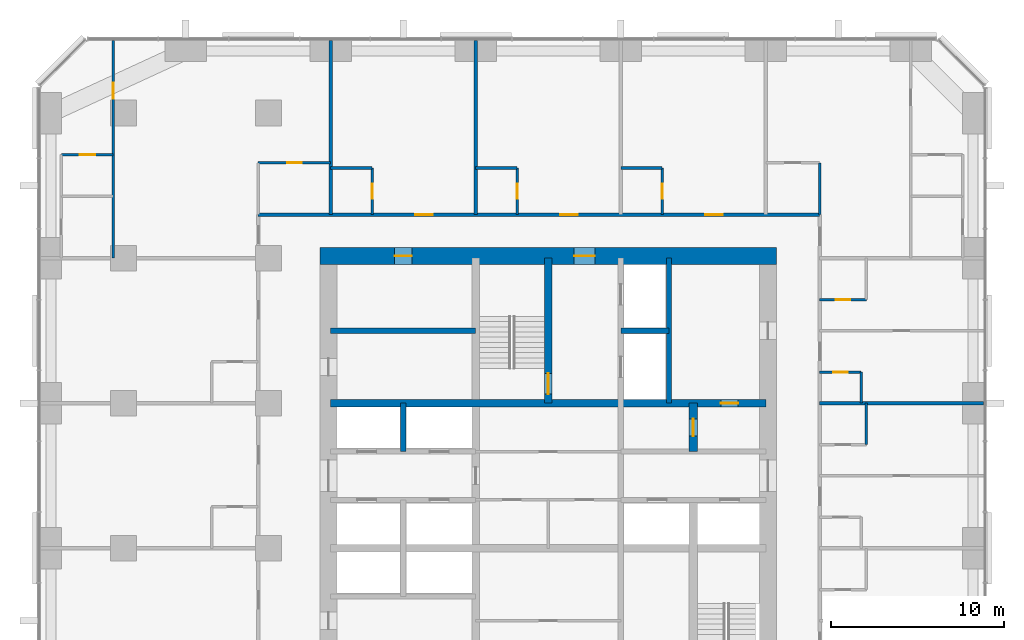
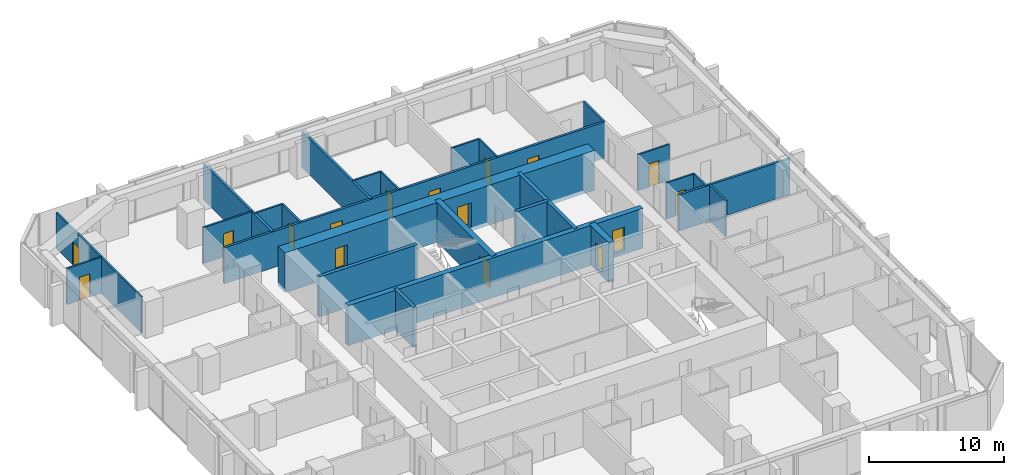
# One storey, part 11 of 13: 26 walls, 16 doors, 16 openings.
"""IFC4 building model written with IfcOpenShell, lengths in metres."""

from ifc_helpers import new_model, si_unit, direction, frame, frame_2d, origin, place, context, subcontext, project, spatial, rectangle, extrude, material, layer, layer_set, type_object, element, fill, save


model = new_model("IFC4")

# Units and contexts
model_context = context("Model", 3, precision=1e-05, world=origin(), true_north=direction((0.0, 1.0)))
body_context = subcontext(model_context, "Body", "Model", "MODEL_VIEW")
ifc_project = project(units=[si_unit("LENGTHUNIT", "METRE"), si_unit("AREAUNIT", "SQUARE_METRE"), si_unit("VOLUMEUNIT", "CUBIC_METRE"), si_unit("PLANEANGLEUNIT", "RADIAN"), si_unit("MASSUNIT", "GRAM", prefix="KILO")], contexts=[model_context])

# Site, building, storey
site_placement = place(None, origin())
site = spatial("IfcSite", under=ifc_project, at=site_placement, CompositionType="ELEMENT")
building_placement = place(site_placement, origin())
building = spatial("IfcBuilding", under=site, at=building_placement, Name="Dunama Terrace Hotel", CompositionType="ELEMENT")
storey_placement = place(building_placement, frame((0.0, 0.0, 118.800048828125)))
storey = spatial("IfcBuildingStorey", under=building, at=storey_placement, Name="L30", CompositionType="ELEMENT", Elevation=118.800048828125)

# Wall, opening, door
ifc_material_1 = material(Name="Gypsum board partition", Category="masonry")
ifc_layer_1 = layer(ifc_material_1, 0.14990234375)
ifc_layer_set_1 = layer_set([ifc_layer_1], Name="Bathroom partition 150")
wall_type_1 = type_object("IfcWallType", Name="Bathroom partition 150", PredefinedType="PARTITIONING", material=ifc_layer_set_1)
wall_1_placement = place(storey_placement, frame((19.199951171875, 44.52490234375, 0.0), z_axis=(0.0, 0.0, 1.0), x_axis=(0.0, 1.0, 0.0)))
wall_1 = element("IfcWall", 1, at=wall_1_placement, inside=storey, type_object=wall_type_1, Name="Bathroom partition 150 L30", PredefinedType="PARTITIONING", context=body_context, shape_type="SweptSolid", body=[
    extrude(rectangle(XDim=2.7001953125, YDim=0.14990234375, at=frame_2d((1.35009765625, 0.0))), origin(), (0.0, 0.0, 1.0), 3.25),
])
opening_1_placement = place(wall_1_placement, frame((0.925048828125, 0.0, 0.0)))
opening_1 = element("IfcOpeningElement", 2, at=opening_1_placement, cuts=wall_1, Name="Opening L30-030", PredefinedType="OPENING", context=body_context, shape_type="SweptSolid", body=[
    extrude(rectangle(XDim=0.85009765625, YDim=2.10009765625, at=frame_2d((0.425048828125, 1.050048828125))), frame((0.0, 0.0849609375, 0.0), z_axis=(0.0, -1.0, 0.0), x_axis=(1.0, 0.0, 0.0)), (0.0, 0.0, 1.0), 0.169921875),
])
ifc_material_2 = material(Name="Timber door with steel frame", Category="steel")
door_type_1 = type_object("IfcDoorType", Name="Bathroom door 850", OperationType="SINGLE_SWING_LEFT", PredefinedType="DOOR", material=ifc_material_2)
door_1_placement = place(opening_1_placement, origin())
door_1 = element("IfcDoor", 3, at=door_1_placement, inside=storey, type_object=door_type_1, Name="Door to en-suite bathroom L30-030, type D2", OperationType="SINGLE_SWING_LEFT", OverallHeight=2.10009765625, OverallWidth=0.85009765625, PredefinedType="DOOR", context=body_context, shape_type="SweptSolid", body=[
    extrude(rectangle(XDim=0.85009765625, YDim=2.10009765625, at=frame_2d((0.425048828125, 1.050048828125))), frame((0.0, 0.02490234375, 0.0), z_axis=(0.0, -1.0, 0.0), x_axis=(1.0, 0.0, 0.0)), (0.0, 0.0, 1.0), 0.050048828125),
])
fill(opening_1, door_1)

wall_2_placement = place(storey_placement, frame((27.60009765625, 44.52490234375, 0.0), z_axis=(0.0, 0.0, 1.0), x_axis=(0.0, 1.0, 0.0)))
wall_2 = element("IfcWall", 4, at=wall_2_placement, inside=storey, type_object=wall_type_1, Name="Bathroom partition 150 L30", PredefinedType="PARTITIONING", context=body_context, shape_type="SweptSolid", body=[
    extrude(rectangle(XDim=2.7001953125, YDim=0.14990234375, at=frame_2d((1.35009765625, 0.0))), origin(), (0.0, 0.0, 1.0), 3.25),
])
opening_2_placement = place(wall_2_placement, frame((0.925048828125, 0.0, 0.0)))
opening_2 = element("IfcOpeningElement", 5, at=opening_2_placement, cuts=wall_2, Name="Opening L30-032", PredefinedType="OPENING", context=body_context, shape_type="SweptSolid", body=[
    extrude(rectangle(XDim=0.85009765625, YDim=2.10009765625, at=frame_2d((0.425048828125, 1.050048828125))), frame((0.0, 0.0849609375, 0.0), z_axis=(0.0, -1.0, 0.0), x_axis=(1.0, 0.0, 0.0)), (0.0, 0.0, 1.0), 0.169921875),
])
door_2_placement = place(opening_2_placement, origin())
door_2 = element("IfcDoor", 6, at=door_2_placement, inside=storey, type_object=door_type_1, Name="Door to en-suite bathroom L30-032, type D2", OperationType="SINGLE_SWING_LEFT", OverallHeight=2.10009765625, OverallWidth=0.85009765625, PredefinedType="DOOR", context=body_context, shape_type="SweptSolid", body=[
    extrude(rectangle(XDim=0.85009765625, YDim=2.10009765625, at=frame_2d((0.425048828125, 1.050048828125))), frame((0.0, 0.02490234375, 0.0), z_axis=(0.0, -1.0, 0.0), x_axis=(1.0, 0.0, 0.0)), (0.0, 0.0, 1.0), 0.050048828125),
])
fill(opening_2, door_2)

wall_3_placement = place(storey_placement, frame((36.0, 44.52490234375, 0.0), z_axis=(0.0, 0.0, 1.0), x_axis=(0.0, 1.0, 0.0)))
wall_3 = element("IfcWall", 7, at=wall_3_placement, inside=storey, type_object=wall_type_1, Name="Bathroom partition 150 L30", PredefinedType="PARTITIONING", context=body_context, shape_type="SweptSolid", body=[
    extrude(rectangle(XDim=2.7001953125, YDim=0.14990234375, at=frame_2d((1.35009765625, 0.0))), origin(), (0.0, 0.0, 1.0), 3.25),
])
opening_3_placement = place(wall_3_placement, frame((0.925048828125, 0.0, 0.0)))
opening_3 = element("IfcOpeningElement", 8, at=opening_3_placement, cuts=wall_3, Name="Opening L30-034", PredefinedType="OPENING", context=body_context, shape_type="SweptSolid", body=[
    extrude(rectangle(XDim=0.85009765625, YDim=2.10009765625, at=frame_2d((0.425048828125, 1.050048828125))), frame((0.0, 0.0849609375, 0.0), z_axis=(0.0, -1.0, 0.0), x_axis=(1.0, 0.0, 0.0)), (0.0, 0.0, 1.0), 0.169921875),
])
door_3_placement = place(opening_3_placement, origin())
door_3 = element("IfcDoor", 9, at=door_3_placement, inside=storey, type_object=door_type_1, Name="Door to en-suite bathroom L30-034, type D2", OperationType="SINGLE_SWING_LEFT", OverallHeight=2.10009765625, OverallWidth=0.85009765625, PredefinedType="DOOR", context=body_context, shape_type="SweptSolid", body=[
    extrude(rectangle(XDim=0.85009765625, YDim=2.10009765625, at=frame_2d((0.425048828125, 1.050048828125))), frame((0.0, 0.02490234375, 0.0), z_axis=(0.0, -1.0, 0.0), x_axis=(1.0, 0.0, 0.0)), (0.0, 0.0, 1.0), 0.050048828125),
])
fill(opening_3, door_3)

# Walls
wall_4_placement = place(storey_placement, frame((45.125, 44.52490234375, 0.0), z_axis=(0.0, 0.0, 1.0), x_axis=(0.0, 1.0, 0.0)))
element("IfcWall", 10, at=wall_4_placement, inside=storey, type_object=wall_type_1, Name="Bathroom partition 150 L30", PredefinedType="PARTITIONING", context=body_context, shape_type="SweptSolid", body=[
    extrude(rectangle(XDim=3.0, YDim=0.14990234375, at=frame_2d((1.5, 0.0))), origin(), (0.0, 0.0, 1.0), 3.25),
])
wall_5_placement = place(storey_placement, frame((47.52490234375, 33.60009765625, 0.0), z_axis=(0.0, 0.0, 1.0), x_axis=(0.0, 1.0, 0.0)))
element("IfcWall", 11, at=wall_5_placement, inside=storey, type_object=wall_type_1, Name="Bathroom partition 150 L30", PredefinedType="PARTITIONING", context=body_context, shape_type="SweptSolid", body=[
    extrude(rectangle(XDim=1.7998046875, YDim=0.14990234375, at=frame_2d((0.89990234375, 0.0))), origin(), (0.0, 0.0, 1.0), 3.25),
])
wall_6_placement = place(storey_placement, frame((47.824951171875, 31.199951171875, 0.0), z_axis=(0.0, 0.0, 1.0), x_axis=(0.0, 1.0, 0.0)))
element("IfcWall", 12, at=wall_6_placement, inside=storey, type_object=wall_type_1, Name="Bathroom partition 150 L30", PredefinedType="PARTITIONING", context=body_context, shape_type="SweptSolid", body=[
    extrude(rectangle(XDim=2.400146484375, YDim=0.14990234375, at=frame_2d((1.2001953125, 0.0))), origin(), (0.0, 0.0, 1.0), 3.25),
])

# Wall, opening, door
wall_7_placement = place(storey_placement, frame((45.125, 35.39990234375, 0.0), z_axis=(0.0, 0.0, 1.0), x_axis=(1.0, 0.0, 0.0)))
wall_7 = element("IfcWall", 13, at=wall_7_placement, inside=storey, type_object=wall_type_1, Name="Bathroom partition 150 L30", PredefinedType="PARTITIONING", context=body_context, shape_type="SweptSolid", body=[
    extrude(rectangle(XDim=2.39990234375, YDim=0.14990234375, at=frame_2d((1.199951171875, 0.0))), origin(), (0.0, 0.0, 1.0), 3.25),
])
opening_4_placement = place(wall_7_placement, frame((0.77490234375, 0.0, 0.0)))
opening_4 = element("IfcOpeningElement", 14, at=opening_4_placement, cuts=wall_7, Name="Opening L30-026", PredefinedType="OPENING", context=body_context, shape_type="SweptSolid", body=[
    extrude(rectangle(XDim=0.85009765625, YDim=2.10009765625, at=frame_2d((0.425048828125, 1.050048828125))), frame((0.0, 0.0849609375, 0.0), z_axis=(0.0, -1.0, 0.0), x_axis=(1.0, 0.0, 0.0)), (0.0, 0.0, 1.0), 0.169921875),
])
door_4_placement = place(opening_4_placement, frame((0.85009765625, 0.0, 0.0), z_axis=(0.0, 0.0, 1.0), x_axis=(-1.0, 0.0, 0.0)))
door_4 = element("IfcDoor", 15, at=door_4_placement, inside=storey, type_object=door_type_1, Name="Door to powder room L30-026, type D2", OperationType="SINGLE_SWING_RIGHT", OverallHeight=2.10009765625, OverallWidth=0.85009765625, PredefinedType="DOOR", context=body_context, shape_type="SweptSolid", body=[
    extrude(rectangle(XDim=0.85009765625, YDim=2.10009765625, at=frame_2d((0.425048828125, 1.050048828125))), frame((0.0, 0.025146484375, 0.0), z_axis=(0.0, -1.0, 0.0), x_axis=(1.0, 0.0, 0.0)), (0.0, 0.0, 1.0), 0.050048828125),
])
fill(opening_4, door_4)

wall_8_placement = place(storey_placement, frame((45.125, 39.60009765625, 0.0), z_axis=(0.0, 0.0, 1.0), x_axis=(1.0, 0.0, 0.0)))
wall_8 = element("IfcWall", 16, at=wall_8_placement, inside=storey, type_object=wall_type_1, Name="Bathroom partition 150 L30", PredefinedType="PARTITIONING", context=body_context, shape_type="SweptSolid", body=[
    extrude(rectangle(XDim=2.699951171875, YDim=0.14990234375, at=frame_2d((1.35009765625, 0.0))), origin(), (0.0, 0.0, 1.0), 3.25),
])
opening_5_placement = place(wall_8_placement, frame((0.925048828125, 0.0, 0.0)))
opening_5 = element("IfcOpeningElement", 17, at=opening_5_placement, cuts=wall_8, Name="Opening L30-028", PredefinedType="OPENING", context=body_context, shape_type="SweptSolid", body=[
    extrude(rectangle(XDim=0.85009765625, YDim=2.10009765625, at=frame_2d((0.425048828125, 1.050048828125))), frame((0.0, 0.0849609375, 0.0), z_axis=(0.0, -1.0, 0.0), x_axis=(1.0, 0.0, 0.0)), (0.0, 0.0, 1.0), 0.169921875),
])
door_5_placement = place(opening_5_placement, origin())
door_5 = element("IfcDoor", 18, at=door_5_placement, inside=storey, type_object=door_type_1, Name="Door to en-suite bathroom L30-028, type D2", OperationType="SINGLE_SWING_LEFT", OverallHeight=2.10009765625, OverallWidth=0.85009765625, PredefinedType="DOOR", context=body_context, shape_type="SweptSolid", body=[
    extrude(rectangle(XDim=0.85009765625, YDim=2.10009765625, at=frame_2d((0.425048828125, 1.050048828125))), frame((0.0, 0.02490234375, 0.0), z_axis=(0.0, -1.0, 0.0), x_axis=(1.0, 0.0, 0.0)), (0.0, 0.0, 1.0), 0.050048828125),
])
fill(opening_5, door_5)

# Walls
wall_9_placement = place(storey_placement, frame((16.800048828125, 47.22509765625, 0.0), z_axis=(0.0, 0.0, 1.0), x_axis=(1.0, 0.0, 0.0)))
element("IfcWall", 19, at=wall_9_placement, inside=storey, type_object=wall_type_1, Name="Bathroom partition 150 L30", PredefinedType="PARTITIONING", context=body_context, shape_type="SweptSolid", body=[
    extrude(rectangle(XDim=2.39990234375, YDim=0.14990234375, at=frame_2d((1.199951171875, 0.0))), origin(), (0.0, 0.0, 1.0), 3.25),
])
wall_10_placement = place(storey_placement, frame((25.199951171875, 47.22509765625, 0.0), z_axis=(0.0, 0.0, 1.0), x_axis=(1.0, 0.0, 0.0)))
element("IfcWall", 20, at=wall_10_placement, inside=storey, type_object=wall_type_1, Name="Bathroom partition 150 L30", PredefinedType="PARTITIONING", context=body_context, shape_type="SweptSolid", body=[
    extrude(rectangle(XDim=2.400146484375, YDim=0.14990234375, at=frame_2d((1.2001953125, 0.0))), origin(), (0.0, 0.0, 1.0), 3.25),
])
wall_11_placement = place(storey_placement, frame((33.60009765625, 47.22509765625, 0.0), z_axis=(0.0, 0.0, 1.0), x_axis=(1.0, 0.0, 0.0)))
element("IfcWall", 21, at=wall_11_placement, inside=storey, type_object=wall_type_1, Name="Bathroom partition 150 L30", PredefinedType="PARTITIONING", context=body_context, shape_type="SweptSolid", body=[
    extrude(rectangle(XDim=2.39990234375, YDim=0.14990234375, at=frame_2d((1.199951171875, 0.0))), origin(), (0.0, 0.0, 1.0), 3.25),
])

# Wall, opening, door
wall_12_placement = place(storey_placement, frame((12.60009765625, 47.52490234375, 0.0), z_axis=(0.0, 0.0, 1.0), x_axis=(1.0, 0.0, 0.0)))
wall_12 = element("IfcWall", 22, at=wall_12_placement, inside=storey, type_object=wall_type_1, Name="Bathroom partition 150 L30", PredefinedType="PARTITIONING", context=body_context, shape_type="SweptSolid", body=[
    extrude(rectangle(XDim=4.199951171875, YDim=0.14990234375, at=frame_2d((2.10009765625, 0.0))), origin(), (0.0, 0.0, 1.0), 3.25),
])
opening_6_placement = place(wall_12_placement, frame((1.675048828125, 0.0, 0.0)))
opening_6 = element("IfcOpeningElement", 23, at=opening_6_placement, cuts=wall_12, Name="Opening L30-057", PredefinedType="OPENING", context=body_context, shape_type="SweptSolid", body=[
    extrude(rectangle(XDim=0.85009765625, YDim=2.10009765625, at=frame_2d((0.425048828125, 1.050048828125))), frame((0.0, 0.0849609375, 0.0), z_axis=(0.0, -1.0, 0.0), x_axis=(1.0, 0.0, 0.0)), (0.0, 0.0, 1.0), 0.169921875),
])
door_6_placement = place(opening_6_placement, frame((0.85009765625, 0.0, 0.0), z_axis=(0.0, 0.0, 1.0), x_axis=(-1.0, 0.0, 0.0)))
door_6 = element("IfcDoor", 24, at=door_6_placement, inside=storey, type_object=door_type_1, Name="Door to powder room L30-057, type D2", OperationType="SINGLE_SWING_LEFT", OverallHeight=2.10009765625, OverallWidth=0.85009765625, PredefinedType="DOOR", context=body_context, shape_type="SweptSolid", body=[
    extrude(rectangle(XDim=0.85009765625, YDim=2.10009765625, at=frame_2d((0.425048828125, 1.050048828125))), frame((0.0, 0.025146484375, 0.0), z_axis=(0.0, -1.0, 0.0), x_axis=(1.0, 0.0, 0.0)), (0.0, 0.0, 1.0), 0.050048828125),
])
fill(opening_6, door_6)

# Walls
ifc_material_3 = material(Name="Concrete C50/60", Category="concrete")
ifc_layer_2 = layer(ifc_material_3, 0.300048828125)
ifc_layer_set_2 = layer_set([ifc_layer_2], Name="Core inner wall 300")
wall_type_2 = type_object("IfcWallType", Name="Core inner wall 300", PredefinedType="SHEAR", material=ifc_layer_set_2)
wall_13_placement = place(storey_placement, frame((21.0, 30.800048828125, -0.35009765625), z_axis=(0.0, 0.0, 1.0), x_axis=(0.0, 1.0, 0.0)))
element("IfcWall", 25, at=wall_13_placement, inside=storey, type_object=wall_type_2, Name="Core inner wall 300 L30", PredefinedType="SHEAR", context=body_context, shape_type="SweptSolid", body=[
    extrude(rectangle(XDim=2.800048828125, YDim=0.300048828125, at=frame_2d((1.39990234375, 0.0))), origin(), (0.0, 0.0, 1.0), 3.60009765625),
])
for number, where, z_axis, x_axis, name in (
    (26, (36.39990234375, 33.60009765625, -0.35009765625), (0.0, 0.0, 1.0), (0.0, 1.0, 0.0), "Core inner wall 300 L30"),
    (27, (16.800048828125, 37.800048828125, -0.35009765625), (0.0, 0.0, 1.0), (1.0, 0.0, 0.0), "Core inner wall 300 L30"),
):
    element("IfcWall", number, at=place(storey_placement, frame(where, z_axis=z_axis, x_axis=x_axis)), inside=storey, type_object=wall_type_2, Name=name, PredefinedType="SHEAR", context=body_context, shape_type="SweptSolid", body=[
        extrude(rectangle(XDim=8.39990234375, YDim=0.300048828125, at=frame_2d((4.199951171875, 0.0))), origin(), (0.0, 0.0, 1.0), 3.60009765625),
    ])
wall_14_placement = place(storey_placement, frame((33.60009765625, 37.800048828125, -0.35009765625), z_axis=(0.0, 0.0, 1.0), x_axis=(1.0, 0.0, 0.0)))
element("IfcWall", 28, at=wall_14_placement, inside=storey, type_object=wall_type_2, Name="Core inner wall 300 L30", PredefinedType="SHEAR", context=body_context, shape_type="SweptSolid", body=[
    extrude(rectangle(XDim=2.7998046875, YDim=0.300048828125, at=frame_2d((1.39990234375, 0.0))), origin(), (0.0, 0.0, 1.0), 3.60009765625),
])

# Wall, opening, door
ifc_material_4 = material(Name="Concrete C50/60", Category="concrete")
ifc_layer_3 = layer(ifc_material_4, 0.449951171875)
ifc_layer_set_3 = layer_set([ifc_layer_3], Name="Core inner wall 450")
wall_type_3 = type_object("IfcWallType", Name="Core inner wall 450", PredefinedType="SHEAR", material=ifc_layer_set_3)
wall_15_placement = place(storey_placement, frame((29.39990234375, 33.60009765625, -0.35009765625), z_axis=(0.0, 0.0, 1.0), x_axis=(0.0, 1.0, 0.0)))
wall_15 = element("IfcWall", 29, at=wall_15_placement, inside=storey, type_object=wall_type_3, Name="Core inner wall 450 L30", PredefinedType="SHEAR", context=body_context, shape_type="SweptSolid", body=[
    extrude(rectangle(XDim=8.39990234375, YDim=0.449951171875, at=frame_2d((4.199951171875, 0.0))), origin(), (0.0, 0.0, 1.0), 3.60009765625),
])
opening_7_placement = place(wall_15_placement, frame((0.52490234375, 0.0, 0.35009765625)))
opening_7 = element("IfcOpeningElement", 30, at=opening_7_placement, cuts=wall_15, Name="Opening L30-001", PredefinedType="OPENING", context=body_context, shape_type="SweptSolid", body=[
    extrude(rectangle(XDim=1.199951171875, YDim=2.199951171875, at=frame_2d((0.60009765625, 1.10009765625))), frame((0.0, 0.23486328125, 0.0), z_axis=(0.0, -1.0, 0.0), x_axis=(1.0, 0.0, 0.0)), (0.0, 0.0, 1.0), 0.469970703125),
])
ifc_material_5 = material(Name="Timber door with steel frame", Category="steel")
door_type_2 = type_object("IfcDoorType", Name="Stair door 1200", OperationType="SINGLE_SWING_LEFT", PredefinedType="DOOR", material=ifc_material_5)
door_7_placement = place(opening_7_placement, origin())
door_7 = element("IfcDoor", 31, at=door_7_placement, inside=storey, type_object=door_type_2, Name="Stair door ST1 L30-001, type D5", OperationType="SINGLE_SWING_LEFT", OverallHeight=2.199951171875, OverallWidth=1.199951171875, PredefinedType="DOOR", context=body_context, shape_type="SweptSolid", body=[
    extrude(rectangle(XDim=1.199951171875, YDim=2.199951171875, at=frame_2d((0.60009765625, 1.10009765625))), frame((0.0, 0.02490234375, 0.0), z_axis=(0.0, -1.0, 0.0), x_axis=(1.0, 0.0, 0.0)), (0.0, 0.0, 1.0), 0.050048828125),
])
fill(opening_7, door_7)

wall_16_placement = place(storey_placement, frame((16.800048828125, 33.60009765625, -0.35009765625), z_axis=(0.0, 0.0, 1.0), x_axis=(1.0, 0.0, 0.0)))
wall_16 = element("IfcWall", 32, at=wall_16_placement, inside=storey, type_object=wall_type_3, Name="Core inner wall 450 L30", PredefinedType="SHEAR", context=body_context, shape_type="SweptSolid", body=[
    extrude(rectangle(XDim=25.199951171875, YDim=0.449951171875, at=frame_2d((12.60009765625, 0.0))), origin(), (0.0, 0.0, 1.0), 3.60009765625),
])
opening_8_placement = place(wall_16_placement, frame((22.60009765625, 0.0, 0.35009765625)))
opening_8 = element("IfcOpeningElement", 33, at=opening_8_placement, cuts=wall_16, Name="Opening L30-070", PredefinedType="OPENING", context=body_context, shape_type="SweptSolid", body=[
    extrude(rectangle(XDim=1.0, YDim=2.10009765625, at=frame_2d((0.5, 1.050048828125))), frame((0.0, 0.23486328125, 0.0), z_axis=(0.0, -1.0, 0.0), x_axis=(1.0, 0.0, 0.0)), (0.0, 0.0, 1.0), 0.469970703125),
])
ifc_material_6 = material(Name="Timber door with steel frame", Category="steel")
door_type_3 = type_object("IfcDoorType", Name="Service door 1000", OperationType="SINGLE_SWING_LEFT", PredefinedType="DOOR", material=ifc_material_6)
door_8_placement = place(opening_8_placement, frame((1.0, 0.0, 0.0), z_axis=(0.0, 0.0, 1.0), x_axis=(-1.0, 0.0, 0.0)))
door_8 = element("IfcDoor", 34, at=door_8_placement, inside=storey, type_object=door_type_3, Name="Door to housekeeping and linen store L30-070, type D7", OperationType="SINGLE_SWING_LEFT", OverallHeight=2.10009765625, OverallWidth=1.0, PredefinedType="DOOR", context=body_context, shape_type="SweptSolid", body=[
    extrude(rectangle(XDim=1.0, YDim=2.10009765625, at=frame_2d((0.5, 1.050048828125))), frame((0.0, 0.025146484375, 0.0), z_axis=(0.0, -1.0, 0.0), x_axis=(1.0, 0.0, 0.0)), (0.0, 0.0, 1.0), 0.050048828125),
])
fill(opening_8, door_8)

ifc_material_7 = material(Name="Concrete C50/60", Category="concrete")
ifc_layer_4 = layer(ifc_material_7, 0.5)
ifc_layer_set_4 = layer_set([ifc_layer_4], Name="Core inner wall 500")
wall_type_4 = type_object("IfcWallType", Name="Core inner wall 500", PredefinedType="SHEAR", material=ifc_layer_set_4)
wall_17_placement = place(storey_placement, frame((37.800048828125, 30.800048828125, -0.35009765625), z_axis=(0.0, 0.0, 1.0), x_axis=(0.0, 1.0, 0.0)))
wall_17 = element("IfcWall", 35, at=wall_17_placement, inside=storey, type_object=wall_type_4, Name="Core inner wall 500 L30", PredefinedType="SHEAR", context=body_context, shape_type="SweptSolid", body=[
    extrude(rectangle(XDim=2.800048828125, YDim=0.5, at=frame_2d((1.39990234375, 0.0))), origin(), (0.0, 0.0, 1.0), 3.60009765625),
])
opening_9_placement = place(wall_17_placement, frame((0.89990234375, 0.0, 0.35009765625)))
opening_9 = element("IfcOpeningElement", 36, at=opening_9_placement, cuts=wall_17, Name="Opening L30-069", PredefinedType="OPENING", context=body_context, shape_type="SweptSolid", body=[
    extrude(rectangle(XDim=1.0, YDim=2.10009765625, at=frame_2d((0.5, 1.050048828125))), frame((0.0, 0.260009765625, 0.0), z_axis=(0.0, -1.0, 0.0), x_axis=(1.0, 0.0, 0.0)), (0.0, 0.0, 1.0), 0.52001953125),
])
door_9_placement = place(opening_9_placement, frame((1.0, 0.0, 0.0), z_axis=(0.0, 0.0, 1.0), x_axis=(-1.0, 0.0, 0.0)))
door_9 = element("IfcDoor", 37, at=door_9_placement, inside=storey, type_object=door_type_3, Name="Door to service riser L30-069, type D7", OperationType="SINGLE_SWING_LEFT", OverallHeight=2.10009765625, OverallWidth=1.0, PredefinedType="DOOR", context=body_context, shape_type="SweptSolid", body=[
    extrude(rectangle(XDim=1.0, YDim=2.10009765625, at=frame_2d((0.5, 1.050048828125))), frame((0.0, 0.025146484375, 0.0), z_axis=(0.0, -1.0, 0.0), x_axis=(1.0, 0.0, 0.0)), (0.0, 0.0, 1.0), 0.050048828125),
])
fill(opening_9, door_9)

# Wall, openings, doors
ifc_material_8 = material(Name="Concrete C60/75", Category="concrete")
ifc_layer_5 = layer(ifc_material_8, 1.0)
ifc_layer_set_5 = layer_set([ifc_layer_5], Name="Core wall 1000")
wall_type_5 = type_object("IfcWallType", Name="Core wall 1000", PredefinedType="SHEAR", material=ifc_layer_set_5)
wall_18_placement = place(storey_placement, frame((42.625, 42.125, -0.35009765625), z_axis=(0.0, 0.0, 1.0), x_axis=(-1.0, 0.0, 0.0)))
wall_18 = element("IfcWall", 38, at=wall_18_placement, inside=storey, type_object=wall_type_5, Name="Core wall north L30", PredefinedType="SHEAR", context=body_context, shape_type="SweptSolid", body=[
    extrude(rectangle(XDim=26.449951171875, YDim=1.0, at=frame_2d((13.22509765625, 0.0))), origin(), (0.0, 0.0, 1.0), 3.60009765625),
])
opening_10_placement = place(wall_18_placement, frame((21.125, 0.0, 0.35009765625)))
opening_10 = element("IfcOpeningElement", 39, at=opening_10_placement, cuts=wall_18, Name="Opening L30-064", PredefinedType="OPENING", context=body_context, shape_type="SweptSolid", body=[
    extrude(rectangle(XDim=1.0, YDim=2.10009765625, at=frame_2d((0.5, 1.050048828125))), frame((0.0, 0.510009765625, 0.0), z_axis=(0.0, -1.0, 0.0), x_axis=(1.0, 0.0, 0.0)), (0.0, 0.0, 1.0), 1.02001953125),
])
opening_11_placement = place(wall_18_placement, frame((10.52490234375, 0.0, 0.35009765625)))
opening_11 = element("IfcOpeningElement", 40, at=opening_11_placement, cuts=wall_18, Name="Opening L30-072", PredefinedType="OPENING", context=body_context, shape_type="SweptSolid", body=[
    extrude(rectangle(XDim=1.199951171875, YDim=2.199951171875, at=frame_2d((0.60009765625, 1.10009765625))), frame((0.0, 0.510009765625, 0.0), z_axis=(0.0, -1.0, 0.0), x_axis=(1.0, 0.0, 0.0)), (0.0, 0.0, 1.0), 1.02001953125),
])
ifc_material_9 = material(Name="Timber door with steel frame", Category="steel")
door_type_4 = type_object("IfcDoorType", Name="Firefighting lobby door 1200", OperationType="SINGLE_SWING_LEFT", PredefinedType="DOOR", material=ifc_material_9)
door_10_placement = place(opening_11_placement, origin())
door_10 = element("IfcDoor", 41, at=door_10_placement, inside=storey, type_object=door_type_4, Name="Door to firefighting lobby L30-072, type D4", OperationType="SINGLE_SWING_RIGHT", OverallHeight=2.199951171875, OverallWidth=1.199951171875, PredefinedType="DOOR", context=body_context, shape_type="SweptSolid", body=[
    extrude(rectangle(XDim=1.199951171875, YDim=2.199951171875, at=frame_2d((0.60009765625, 1.10009765625))), frame((0.0, 0.02490234375, 0.0), z_axis=(0.0, -1.0, 0.0), x_axis=(1.0, 0.0, 0.0)), (0.0, 0.0, 1.0), 0.050048828125),
])
fill(opening_11, door_10)
door_11_placement = place(opening_10_placement, origin())
door_11 = element("IfcDoor", 42, at=door_11_placement, inside=storey, type_object=door_type_3, Name="Door to communications and riser room L30-064, type D7", OperationType="SINGLE_SWING_LEFT", OverallHeight=2.10009765625, OverallWidth=1.0, PredefinedType="DOOR", context=body_context, shape_type="SweptSolid", body=[
    extrude(rectangle(XDim=1.0, YDim=2.10009765625, at=frame_2d((0.5, 1.050048828125))), frame((0.0, 0.02490234375, 0.0), z_axis=(0.0, -1.0, 0.0), x_axis=(1.0, 0.0, 0.0)), (0.0, 0.0, 1.0), 0.050048828125),
])
fill(opening_10, door_11)

ifc_material_10 = material(Name="Concrete blockwork", Category="masonry")
ifc_layer_6 = layer(ifc_material_10, 0.199951171875)
ifc_layer_set_6 = layer_set([ifc_layer_6], Name="Corridor partition 200")
wall_type_6 = type_object("IfcWallType", Name="Corridor partition 200", PredefinedType="PARTITIONING", material=ifc_layer_set_6)
wall_19_placement = place(storey_placement, frame((12.60009765625, 44.52490234375, 0.0), z_axis=(0.0, 0.0, 1.0), x_axis=(1.0, 0.0, 0.0)))
wall_19 = element("IfcWall", 43, at=wall_19_placement, inside=storey, type_object=wall_type_6, Name="Corridor partition 200 L30", PredefinedType="PARTITIONING", context=body_context, shape_type="SweptSolid", body=[
    extrude(rectangle(XDim=32.52490234375, YDim=0.199951171875, at=frame_2d((16.262451171875, 0.0))), origin(), (0.0, 0.0, 1.0), 3.25),
])
opening_12_placement = place(wall_19_placement, frame((9.10009765625, 0.0, 0.0)))
opening_12 = element("IfcOpeningElement", 44, at=opening_12_placement, cuts=wall_19, Name="Opening L30-029", PredefinedType="OPENING", context=body_context, shape_type="SweptSolid", body=[
    extrude(rectangle(XDim=1.0, YDim=2.199951171875, at=frame_2d((0.5, 1.10009765625))), frame((0.0, 0.10986328125, 0.0), z_axis=(0.0, -1.0, 0.0), x_axis=(1.0, 0.0, 0.0)), (0.0, 0.0, 1.0), 0.219970703125),
])
opening_13_placement = place(wall_19_placement, frame((17.5, 0.0, 0.0)))
opening_13 = element("IfcOpeningElement", 45, at=opening_13_placement, cuts=wall_19, Name="Opening L30-031", PredefinedType="OPENING", context=body_context, shape_type="SweptSolid", body=[
    extrude(rectangle(XDim=1.0, YDim=2.199951171875, at=frame_2d((0.5, 1.10009765625))), frame((0.0, 0.10986328125, 0.0), z_axis=(0.0, -1.0, 0.0), x_axis=(1.0, 0.0, 0.0)), (0.0, 0.0, 1.0), 0.219970703125),
])
opening_14_placement = place(wall_19_placement, frame((25.89990234375, 0.0, 0.0)))
opening_14 = element("IfcOpeningElement", 46, at=opening_14_placement, cuts=wall_19, Name="Opening L30-033", PredefinedType="OPENING", context=body_context, shape_type="SweptSolid", body=[
    extrude(rectangle(XDim=1.0, YDim=2.199951171875, at=frame_2d((0.5, 1.10009765625))), frame((0.0, 0.10986328125, 0.0), z_axis=(0.0, -1.0, 0.0), x_axis=(1.0, 0.0, 0.0)), (0.0, 0.0, 1.0), 0.219970703125),
])
ifc_material_11 = material(Name="Timber door with steel frame", Category="steel")
door_type_5 = type_object("IfcDoorType", Name="Guest room door 1000", OperationType="SINGLE_SWING_LEFT", PredefinedType="DOOR", material=ifc_material_11)
door_12_placement = place(opening_12_placement, origin())
door_12 = element("IfcDoor", 47, at=door_12_placement, inside=storey, type_object=door_type_5, Name="Door to junior suite L30-029, type D1", OperationType="SINGLE_SWING_LEFT", OverallHeight=2.199951171875, OverallWidth=1.0, PredefinedType="DOOR", context=body_context, shape_type="SweptSolid", body=[
    extrude(rectangle(XDim=1.0, YDim=2.199951171875, at=frame_2d((0.5, 1.10009765625))), frame((0.0, 0.02490234375, 0.0), z_axis=(0.0, -1.0, 0.0), x_axis=(1.0, 0.0, 0.0)), (0.0, 0.0, 1.0), 0.050048828125),
])
fill(opening_12, door_12)
door_13_placement = place(opening_13_placement, origin())
door_13 = element("IfcDoor", 48, at=door_13_placement, inside=storey, type_object=door_type_5, Name="Door to junior suite L30-031, type D1", OperationType="SINGLE_SWING_LEFT", OverallHeight=2.199951171875, OverallWidth=1.0, PredefinedType="DOOR", context=body_context, shape_type="SweptSolid", body=[
    extrude(rectangle(XDim=1.0, YDim=2.199951171875, at=frame_2d((0.5, 1.10009765625))), frame((0.0, 0.02490234375, 0.0), z_axis=(0.0, -1.0, 0.0), x_axis=(1.0, 0.0, 0.0)), (0.0, 0.0, 1.0), 0.050048828125),
])
fill(opening_13, door_13)
door_14_placement = place(opening_14_placement, origin())
door_14 = element("IfcDoor", 49, at=door_14_placement, inside=storey, type_object=door_type_5, Name="Door to junior suite L30-033, type D1", OperationType="SINGLE_SWING_LEFT", OverallHeight=2.199951171875, OverallWidth=1.0, PredefinedType="DOOR", context=body_context, shape_type="SweptSolid", body=[
    extrude(rectangle(XDim=1.0, YDim=2.199951171875, at=frame_2d((0.5, 1.10009765625))), frame((0.0, 0.02490234375, 0.0), z_axis=(0.0, -1.0, 0.0), x_axis=(1.0, 0.0, 0.0)), (0.0, 0.0, 1.0), 0.050048828125),
])
fill(opening_14, door_14)

# Walls
ifc_material_12 = material(Name="Concrete blockwork", Category="masonry")
ifc_layer_7 = layer(ifc_material_12, 0.199951171875)
ifc_layer_set_7 = layer_set([ifc_layer_7], Name="Party wall 200")
wall_type_7 = type_object("IfcWallType", Name="Party wall 200", PredefinedType="PARTITIONING", material=ifc_layer_set_7)
for number, where, z_axis, x_axis, name in (
    (50, (16.800048828125, 44.52490234375, 0.0), (0.0, 0.0, 1.0), (0.0, 1.0, 0.0), "Party wall 200 L30"),
    (51, (25.199951171875, 44.52490234375, 0.0), (0.0, 0.0, 1.0), (0.0, 1.0, 0.0), "Party wall 200 L30"),
):
    element("IfcWall", number, at=place(storey_placement, frame(where, z_axis=z_axis, x_axis=x_axis)), inside=storey, type_object=wall_type_7, Name=name, PredefinedType="PARTITIONING", context=body_context, shape_type="SweptSolid", body=[
        extrude(rectangle(XDim=10.093017578125, YDim=0.199951171875, at=frame_2d((5.04638671875, 0.0))), origin(), (0.0, 0.0, 1.0), 3.25),
    ])
wall_20_placement = place(storey_placement, frame((45.125, 33.60009765625, 0.0), z_axis=(0.0, 0.0, 1.0), x_axis=(1.0, 0.0, 0.0)))
element("IfcWall", 52, at=wall_20_placement, inside=storey, type_object=wall_type_7, Name="Party wall 200 L30", PredefinedType="PARTITIONING", context=body_context, shape_type="SweptSolid", body=[
    extrude(rectangle(XDim=9.492919921875, YDim=0.199951171875, at=frame_2d((4.74658203125, 0.0))), origin(), (0.0, 0.0, 1.0), 3.25),
])

# Wall, opening, door
ifc_material_13 = material(Name="Gypsum board partition", Category="masonry")
ifc_layer_8 = layer(ifc_material_13, 0.14990234375)
ifc_layer_set_8 = layer_set([ifc_layer_8], Name="Room partition 150")
wall_type_8 = type_object("IfcWallType", Name="Room partition 150", PredefinedType="PARTITIONING", material=ifc_layer_set_8)
wall_21_placement = place(storey_placement, frame((4.199951171875, 42.0, 0.0), z_axis=(0.0, 0.0, 1.0), x_axis=(0.0, 1.0, 0.0)))
wall_21 = element("IfcWall", 53, at=wall_21_placement, inside=storey, type_object=wall_type_8, Name="Room partition 150 L30", PredefinedType="PARTITIONING", context=body_context, shape_type="SweptSolid", body=[
    extrude(rectangle(XDim=12.617919921875, YDim=0.14990234375, at=frame_2d((6.30908203125, 0.0))), origin(), (0.0, 0.0, 1.0), 3.25),
])
opening_15_placement = place(wall_21_placement, frame((9.25, 0.0, 0.0)))
opening_15 = element("IfcOpeningElement", 54, at=opening_15_placement, cuts=wall_21, Name="Opening L30-058", PredefinedType="OPENING", context=body_context, shape_type="SweptSolid", body=[
    extrude(rectangle(XDim=0.89990234375, YDim=2.10009765625, at=frame_2d((0.449951171875, 1.050048828125))), frame((0.0, 0.0849609375, 0.0), z_axis=(0.0, -1.0, 0.0), x_axis=(1.0, 0.0, 0.0)), (0.0, 0.0, 1.0), 0.169921875),
])
ifc_material_14 = material(Name="Timber door with steel frame", Category="steel")
door_type_6 = type_object("IfcDoorType", Name="Suite internal door 900", OperationType="SINGLE_SWING_LEFT", PredefinedType="DOOR", material=ifc_material_14)
door_15_placement = place(opening_15_placement, origin())
door_15 = element("IfcDoor", 55, at=door_15_placement, inside=storey, type_object=door_type_6, Name="Door to corner suite bedroom L30-058, type D16", OperationType="SINGLE_SWING_LEFT", OverallHeight=2.10009765625, OverallWidth=0.89990234375, PredefinedType="DOOR", context=body_context, shape_type="SweptSolid", body=[
    extrude(rectangle(XDim=0.89990234375, YDim=2.10009765625, at=frame_2d((0.449951171875, 1.050048828125))), frame((0.0, 0.02490234375, 0.0), z_axis=(0.0, -1.0, 0.0), x_axis=(1.0, 0.0, 0.0)), (0.0, 0.0, 1.0), 0.050048828125),
])
fill(opening_15, door_15)

wall_22_placement = place(storey_placement, frame((1.199951171875, 48.0, 0.0), z_axis=(0.0, 0.0, 1.0), x_axis=(1.0, 0.0, 0.0)))
wall_22 = element("IfcWall", 56, at=wall_22_placement, inside=storey, type_object=wall_type_8, Name="Room partition 150 L30", PredefinedType="PARTITIONING", context=body_context, shape_type="SweptSolid", body=[
    extrude(rectangle(XDim=3.0, YDim=0.14990234375, at=frame_2d((1.5, 0.0))), origin(), (0.0, 0.0, 1.0), 3.25),
])
opening_16_placement = place(wall_22_placement, frame((1.050048828125, 0.0, 0.0)))
opening_16 = element("IfcOpeningElement", 57, at=opening_16_placement, cuts=wall_22, Name="Opening L30-060", PredefinedType="OPENING", context=body_context, shape_type="SweptSolid", body=[
    extrude(rectangle(XDim=0.89990234375, YDim=2.10009765625, at=frame_2d((0.449951171875, 1.050048828125))), frame((0.0, 0.0849609375, 0.0), z_axis=(0.0, -1.0, 0.0), x_axis=(1.0, 0.0, 0.0)), (0.0, 0.0, 1.0), 0.169921875),
])
door_16_placement = place(opening_16_placement, frame((0.89990234375, 0.0, 0.0), z_axis=(0.0, 0.0, 1.0), x_axis=(-1.0, 0.0, 0.0)))
door_16 = element("IfcDoor", 58, at=door_16_placement, inside=storey, type_object=door_type_6, Name="Door to dressing room L30-060, type D16", OperationType="SINGLE_SWING_RIGHT", OverallHeight=2.10009765625, OverallWidth=0.89990234375, PredefinedType="DOOR", context=body_context, shape_type="SweptSolid", body=[
    extrude(rectangle(XDim=0.89990234375, YDim=2.10009765625, at=frame_2d((0.449951171875, 1.050048828125))), frame((0.0, 0.025146484375, 0.0), z_axis=(0.0, -1.0, 0.0), x_axis=(1.0, 0.0, 0.0)), (0.0, 0.0, 1.0), 0.050048828125),
])
fill(opening_16, door_16)

save(model, "model.ifc")
